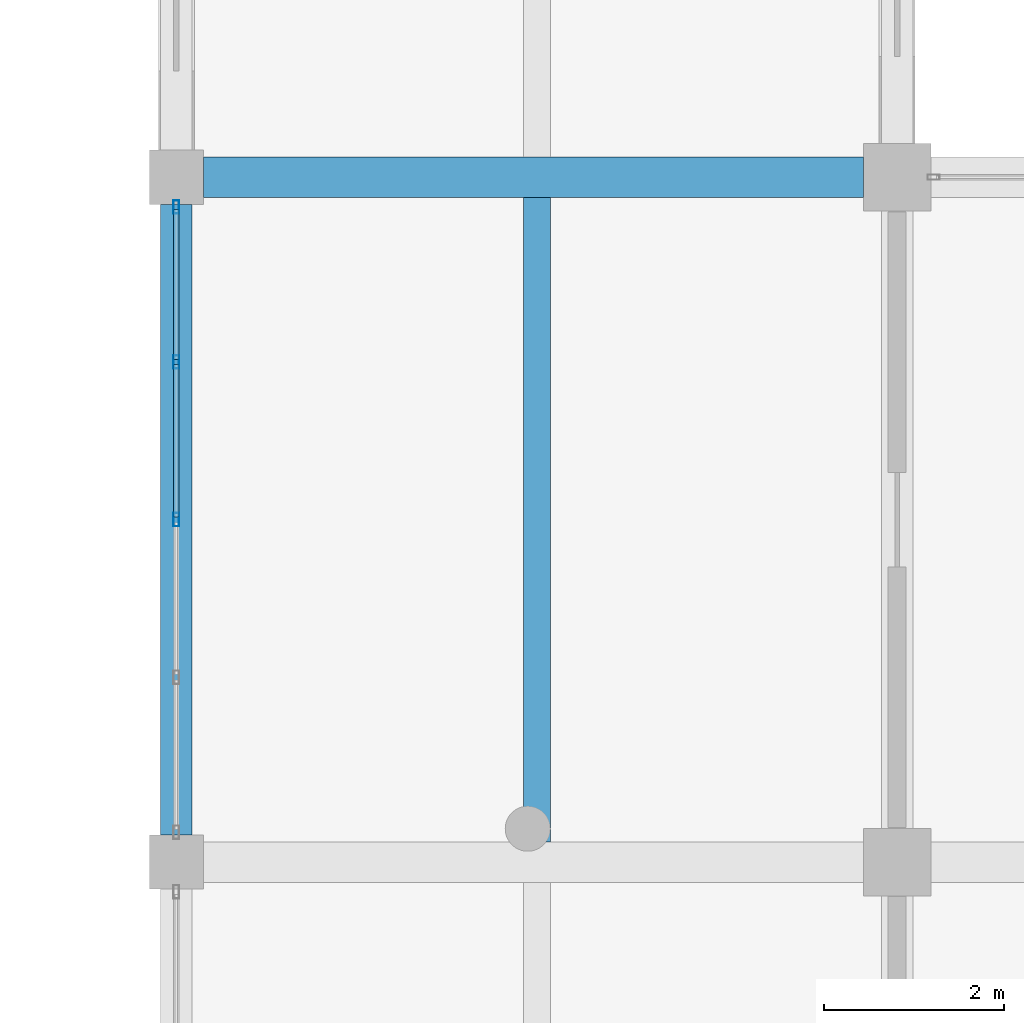
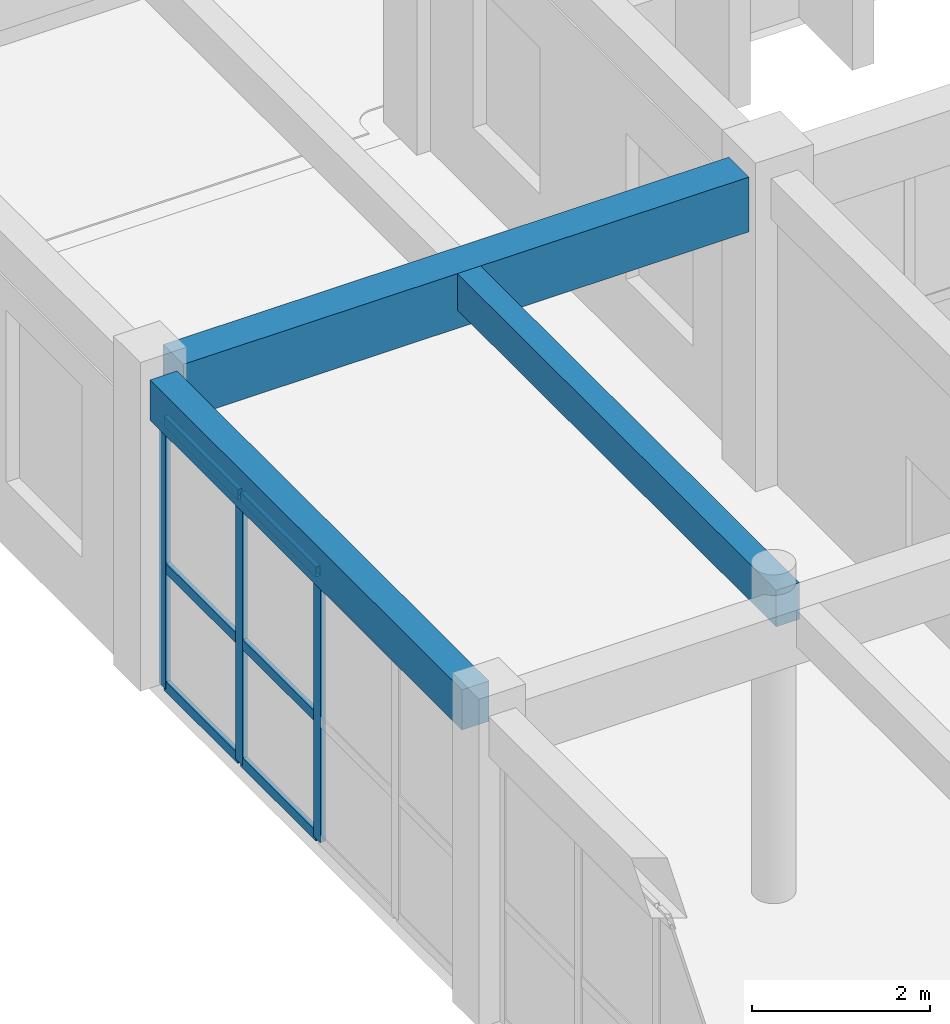
# One storey, part 18 of 79: 9 members, 3 beams, 1 element without a shape of its own.
"""IFC4 building model written with IfcOpenShell, lengths in metres."""

from ifc_helpers import new_model, si_unit, direction, frame, origin, origin_2d, place, context, subcontext, project, spatial, rectangle, hollow_rectangle, extrude, material, material_profile, profile_set, type_object, element, aggregate, save


model = new_model("IFC4")

# Units and contexts
model_context = context("Model", 3, precision=1e-05, world=origin(), true_north=direction((0.0, 1.0)))
body_context = subcontext(model_context, "Body", "Model", "MODEL_VIEW")
ifc_project = project(units=[si_unit("LENGTHUNIT", "METRE"), si_unit("AREAUNIT", "SQUARE_METRE"), si_unit("VOLUMEUNIT", "CUBIC_METRE"), si_unit("PLANEANGLEUNIT", "RADIAN"), si_unit("MASSUNIT", "GRAM", prefix="KILO")], contexts=[model_context])

# Site, building, storey
site_placement = place(None, origin())
site = spatial("IfcSite", under=ifc_project, at=site_placement, CompositionType="ELEMENT")
building_placement = place(site_placement, origin())
building = spatial("IfcBuilding", under=site, at=building_placement, Name="Zantavel Square City Hall", CompositionType="ELEMENT")
storey_placement = place(building_placement, frame((0.0, 0.0, 10.199951171875)))
storey = spatial("IfcBuildingStorey", under=building, at=storey_placement, Name="L03", CompositionType="ELEMENT", Elevation=10.199951171875)

# Curtain wall, members
ifc_material_1 = material(Name="Anodised aluminium 6063-T6", Category="aluminium")
curtain_wall_type = type_object("IfcCurtainWallType", Name="Curtain Wall CRT 7000x3670", PredefinedType="USERDEFINED", material=ifc_material_1)
curtain_wall_placement = place(storey_placement, origin())
curtain_wall = element("IfcCurtainWall", 1, at=curtain_wall_placement, inside=storey, type_object=curtain_wall_type, Name="L03 Glazed Curtain Wall CW-L03-104", ObjectType="GLAZED CURTAIN WALL", PredefinedType="USERDEFINED")
ifc_material_profile_1 = material_profile(ifc_material_1, hollow_rectangle(XDim=0.06494140625, YDim=0.14990234375, WallThickness=0.00390625, at=origin_2d()), Name="ALU 65x150x4")
ifc_profile_set_1 = profile_set([ifc_material_profile_1], Name="Anodised aluminium 6063-T6")
member_type_1 = type_object("IfcMemberType", Name="CW Mullion ALU 65x150x4", PredefinedType="MULLION", material=ifc_profile_set_1)
member_1_placement = place(storey_placement, frame((48.0, 64.60009765625, 0.0), z_axis=(0.0, 0.0, 1.0), x_axis=(-1.0, 0.0, 0.0)))
member_1 = element("IfcMember", 2, at=member_1_placement, type_object=member_type_1, Name="CW-104 mullion 3", PredefinedType="MULLION", context=body_context, shape_type="SweptSolid", body=[
    extrude(hollow_rectangle(XDim=0.06494140625, YDim=0.14990234375, WallThickness=0.00390625, at=origin_2d()), origin(), (0.0, 0.0, 1.0), 3.670166015625),
])
member_2_placement = place(storey_placement, frame((48.0, 66.35009765625, 0.0), z_axis=(0.0, 0.0, 1.0), x_axis=(-1.0, 0.0, 0.0)))
member_2 = element("IfcMember", 3, at=member_2_placement, type_object=member_type_1, Name="CW-104 mullion 4", PredefinedType="MULLION", context=body_context, shape_type="SweptSolid", body=[
    extrude(hollow_rectangle(XDim=0.06494140625, YDim=0.14990234375, WallThickness=0.00390625, at=origin_2d()), origin(), (0.0, 0.0, 1.0), 3.670166015625),
])
member_3_placement = place(storey_placement, frame((48.0, 68.070068359375, 0.0), z_axis=(0.0, 0.0, 1.0), x_axis=(-1.0, 0.0, 0.0)))
member_3 = element("IfcMember", 4, at=member_3_placement, type_object=member_type_1, Name="CW-104 mullion 5", PredefinedType="MULLION", context=body_context, shape_type="SweptSolid", body=[
    extrude(hollow_rectangle(XDim=0.06494140625, YDim=0.14990234375, WallThickness=0.00390625, at=origin_2d()), origin(), (0.0, 0.0, 1.0), 3.670166015625),
])
ifc_material_profile_2 = material_profile(ifc_material_1, hollow_rectangle(XDim=0.06005859375, YDim=0.139892578125, WallThickness=0.00390625, at=origin_2d()), Name="ALU 60x140x4")
ifc_profile_set_2 = profile_set([ifc_material_profile_2], Name="Anodised aluminium 6063-T6")
member_type_2 = type_object("IfcMemberType", Name="CW Transom ALU 60x140x4", PredefinedType="USERDEFINED", material=ifc_profile_set_2)
member_4_placement = place(storey_placement, frame((48.0, 64.6298828125, 0.030029296875), z_axis=(0.0, 1.0, 0.0), x_axis=(-1.0, 0.0, 0.0)))
member_4 = element("IfcMember", 5, at=member_4_placement, type_object=member_type_2, Name="CW-104 transom 3.1", ObjectType="TRANSOM", PredefinedType="USERDEFINED", context=body_context, shape_type="SweptSolid", body=[
    extrude(hollow_rectangle(XDim=0.06005859375, YDim=0.139892578125, WallThickness=0.00390625, at=origin_2d()), origin(), (0.0, 0.0, 1.0), 1.690185546875),
])
member_5_placement = place(storey_placement, frame((48.0, 64.6298828125, 1.651123046875), z_axis=(0.0, 1.0, 0.0), x_axis=(-1.0, 0.0, 0.0)))
member_5 = element("IfcMember", 6, at=member_5_placement, type_object=member_type_2, Name="CW-104 transom 3.2", ObjectType="TRANSOM", PredefinedType="USERDEFINED", context=body_context, shape_type="SweptSolid", body=[
    extrude(hollow_rectangle(XDim=0.06005859375, YDim=0.139892578125, WallThickness=0.00390625, at=origin_2d()), origin(), (0.0, 0.0, 1.0), 1.690185546875),
])
member_6_placement = place(storey_placement, frame((48.0, 64.6298828125, 3.64013671875), z_axis=(0.0, 1.0, 0.0), x_axis=(-1.0, 0.0, 0.0)))
member_6 = element("IfcMember", 7, at=member_6_placement, type_object=member_type_2, Name="CW-104 transom 3.3", ObjectType="TRANSOM", PredefinedType="USERDEFINED", context=body_context, shape_type="SweptSolid", body=[
    extrude(hollow_rectangle(XDim=0.06005859375, YDim=0.139892578125, WallThickness=0.00390625, at=origin_2d()), origin(), (0.0, 0.0, 1.0), 1.690185546875),
])
member_7_placement = place(storey_placement, frame((48.0, 66.3798828125, 0.030029296875), z_axis=(0.0, 1.0, 0.0), x_axis=(-1.0, 0.0, 0.0)))
member_7 = element("IfcMember", 8, at=member_7_placement, type_object=member_type_2, Name="CW-104 transom 4.1", ObjectType="TRANSOM", PredefinedType="USERDEFINED", context=body_context, shape_type="SweptSolid", body=[
    extrude(hollow_rectangle(XDim=0.06005859375, YDim=0.139892578125, WallThickness=0.00390625, at=origin_2d()), origin(), (0.0, 0.0, 1.0), 1.66015625),
])
member_8_placement = place(storey_placement, frame((48.0, 66.3798828125, 1.651123046875), z_axis=(0.0, 1.0, 0.0), x_axis=(-1.0, 0.0, 0.0)))
member_8 = element("IfcMember", 9, at=member_8_placement, type_object=member_type_2, Name="CW-104 transom 4.2", ObjectType="TRANSOM", PredefinedType="USERDEFINED", context=body_context, shape_type="SweptSolid", body=[
    extrude(hollow_rectangle(XDim=0.06005859375, YDim=0.139892578125, WallThickness=0.00390625, at=origin_2d()), origin(), (0.0, 0.0, 1.0), 1.66015625),
])
member_9_placement = place(storey_placement, frame((48.0, 66.3798828125, 3.64013671875), z_axis=(0.0, 1.0, 0.0), x_axis=(-1.0, 0.0, 0.0)))
member_9 = element("IfcMember", 10, at=member_9_placement, type_object=member_type_2, Name="CW-104 transom 4.3", ObjectType="TRANSOM", PredefinedType="USERDEFINED", context=body_context, shape_type="SweptSolid", body=[
    extrude(hollow_rectangle(XDim=0.06005859375, YDim=0.139892578125, WallThickness=0.00390625, at=origin_2d()), origin(), (0.0, 0.0, 1.0), 1.66015625),
])
aggregate(curtain_wall, [member_1, member_2, member_3, member_4, member_5, member_6, member_7, member_8, member_9])

# Beams
ifc_material_2 = material(Name="Concrete C35/45", Category="concrete")
ifc_material_profile_3 = material_profile(ifc_material_2, rectangle(XDim=0.300048828125, YDim=0.5, at=origin_2d()), Name="RC 300x500")
ifc_profile_set_3 = profile_set([ifc_material_profile_3], Name="Concrete C35/45")
beam_type_1 = type_object("IfcBeamType", Name="Floor Joist RC 300x500 C35/45", PredefinedType="JOIST", material=ifc_profile_set_3)
beam_1_placement = place(storey_placement, frame((52.0, 61.02490234375, 3.969970703125), z_axis=(0.0, 1.0, 0.0), x_axis=(-1.0, 0.0, 0.0)))
element("IfcBeam", 11, at=beam_1_placement, inside=storey, type_object=beam_type_1, Name="L03 Floor Joist JST-L03-0520-0608", PredefinedType="JOIST", context=body_context, shape_type="SweptSolid", body=[
    extrude(rectangle(XDim=0.300048828125, YDim=0.5, at=origin_2d()), origin(), (0.0, 0.0, 1.0), 7.150146484375),
])
ifc_material_profile_4 = material_profile(ifc_material_2, rectangle(XDim=0.449951171875, YDim=0.75, at=origin_2d()), Name="RC 450x750")
ifc_profile_set_4 = profile_set([ifc_material_profile_4], Name="Concrete C35/45")
beam_type_2 = type_object("IfcBeamType", Name="Primary Girder RC 450x750 C35/45", PredefinedType="BEAM", material=ifc_profile_set_4)
beam_2_placement = place(storey_placement, frame((48.300048828125, 68.39990234375, 3.844970703125), z_axis=(1.0, 0.0, 0.0), x_axis=(0.0, 1.0, 0.0)))
element("IfcBeam", 12, at=beam_2_placement, inside=storey, type_object=beam_type_2, Name="L03 Girder BMX-L03-0480-0684", PredefinedType="BEAM", context=body_context, shape_type="SweptSolid", body=[
    extrude(rectangle(XDim=0.449951171875, YDim=0.75, at=origin_2d()), origin(), (0.0, 0.0, 1.0), 7.324951171875),
])
ifc_material_profile_5 = material_profile(ifc_material_2, rectangle(XDim=0.35009765625, YDim=0.550048828125, at=origin_2d()), Name="RC 350x550")
ifc_profile_set_5 = profile_set([ifc_material_profile_5], Name="Concrete C35/45")
beam_type_3 = type_object("IfcBeamType", Name="Secondary Beam RC 350x550 C35/45", PredefinedType="BEAM", material=ifc_profile_set_5)
beam_3_placement = place(storey_placement, frame((48.0, 61.10009765625, 3.945068359375), z_axis=(0.0, 1.0, 0.0), x_axis=(-1.0, 0.0, 0.0)))
element("IfcBeam", 13, at=beam_3_placement, inside=storey, type_object=beam_type_3, Name="L03 Beam BMY-L03-0480-0608", PredefinedType="BEAM", context=body_context, shape_type="SweptSolid", body=[
    extrude(rectangle(XDim=0.35009765625, YDim=0.550048828125, at=origin_2d()), origin(), (0.0, 0.0, 1.0), 7.0),
])

save(model, "model.ifc")
